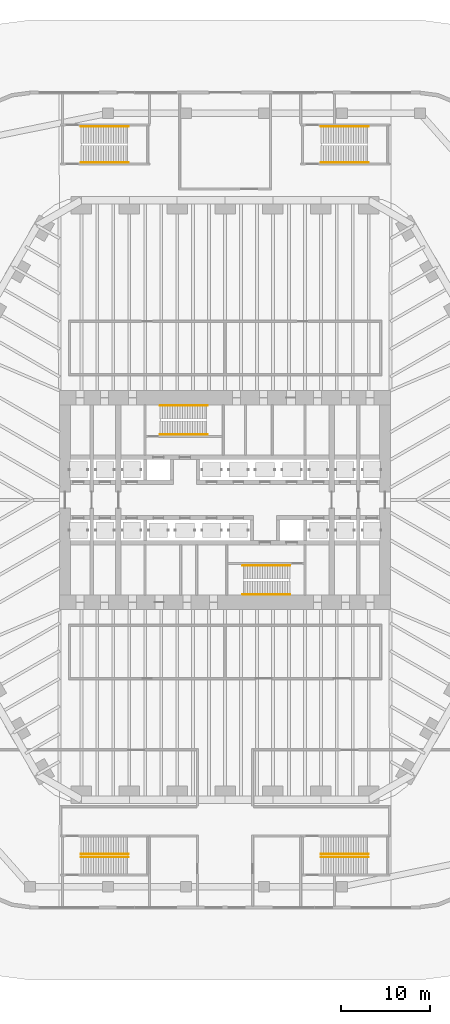
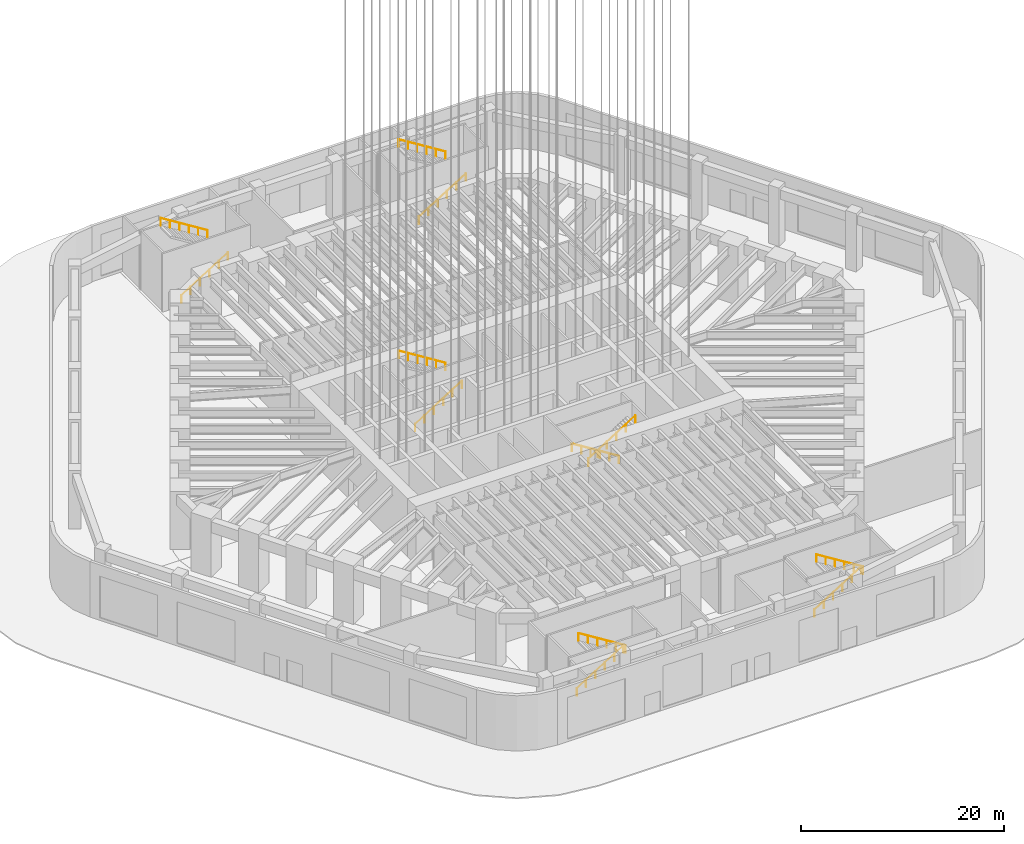
# One storey, part 13 of 23: 12 railings.
"""IFC4 building model written with IfcOpenShell, lengths in metres."""

import ifcopenshell
import ifcopenshell.guid

model = None  # the IFC model being written
_history = None  # IfcOwnerHistory: only IFC2X3 demands one
_inside = {}  # id of a spatial element -> (the spatial element, [elements in it])
_under = {}  # id of a project, library or spatial element -> (it, [spatial elements below it])
_declared = {}  # id of a project -> (the project, [libraries it declares])
_typed = {}  # id of a type object -> (the type object, [elements of that type])
_made_of = {}  # id of a material, layer set ... -> (it, [elements and type objects made of it])


def new_model(schema):
    """Start an empty IFC model of exactly this schema.

    Asked for "IFC4X3", IfcOpenShell would pick the latest addendum, in which some entities
    have other attributes; the version numbers below select the first issue.
    IFC2X3 requires an IfcOwnerHistory on every rooted entity: one is made here for all.
    """
    global model, _history
    if schema == "IFC4X3":
        model = ifcopenshell.file(schema_version=(4, 3, 0, 0))
    else:
        model = ifcopenshell.file(schema=schema)
    _inside.clear()
    _under.clear()
    _declared.clear()
    _typed.clear()
    _made_of.clear()
    _history = None
    if model.schema == "IFC2X3":
        org = make("IfcOrganization", Name="unknown")
        user = make(
            "IfcPersonAndOrganization",
            ThePerson=make("IfcPerson", FamilyName="unknown"),
            TheOrganization=org,
        )
        app = make(
            "IfcApplication",
            ApplicationDeveloper=org,
            Version="unknown",
            ApplicationFullName="unknown",
            ApplicationIdentifier="unknown",
        )
        _history = make(
            "IfcOwnerHistory",
            OwningUser=user,
            OwningApplication=app,
            ChangeAction="ADDED",
            CreationDate=0,
        )
    return model


def make(cls, **values):
    """One entity of the class cls with the attributes given. An attribute that is None is left unset."""
    return model.create_entity(
        cls, **{name: value for name, value in values.items() if value is not None}
    )


def rooted(cls, **values):
    """An entity with a GlobalId (a new one), such as an element, a storey or a relation."""
    return make(cls, GlobalId=ifcopenshell.guid.new(), OwnerHistory=_history, **values)


def si_unit(unit_type, name, prefix=None):
    """IfcSIUnit, for example si_unit("LENGTHUNIT", "METRE", prefix="MILLI")."""
    return make("IfcSIUnit", UnitType=unit_type, Prefix=prefix, Name=name)


def assignment(units):
    """IfcUnitAssignment: the units of a project."""
    return None if units is None else make("IfcUnitAssignment", Units=units)


def point(xyz):
    """IfcCartesianPoint."""
    return None if xyz is None else make("IfcCartesianPoint", Coordinates=xyz)


def direction(xyz):
    """IfcDirection."""
    return None if xyz is None else make("IfcDirection", DirectionRatios=xyz)


def frame(location, z_axis=None, x_axis=None):
    """IfcAxis2Placement3D, a coordinate frame: its origin and axes. An axis left out is left unset."""
    return make(
        "IfcAxis2Placement3D",
        Location=point(location),
        Axis=direction(z_axis),
        RefDirection=direction(x_axis),
    )


def frame_2d(location, x_axis=None):
    """IfcAxis2Placement2D, a coordinate frame in the plane: its origin and x axis."""
    return make(
        "IfcAxis2Placement2D", Location=point(location), RefDirection=direction(x_axis)
    )


def origin():
    """The frame at (0, 0, 0) with its axes left unset."""
    return frame((0.0, 0.0, 0.0))


def origin_2d():
    """The frame at (0, 0) in the plane with its x axis left unset."""
    return frame_2d((0.0, 0.0))


def place(relative_to, where):
    """IfcLocalPlacement: puts the frame where relative to a parent placement (None: the world)."""
    return make(
        "IfcLocalPlacement", PlacementRelTo=relative_to, RelativePlacement=where
    )


def context(
    kind, dimensions, precision=None, world=None, true_north=None, identifier=None
):
    """IfcGeometricRepresentationContext, for example the 3D "Model" context."""
    return make(
        "IfcGeometricRepresentationContext",
        ContextIdentifier=identifier,
        ContextType=kind,
        CoordinateSpaceDimension=dimensions,
        Precision=precision,
        WorldCoordinateSystem=world,
        TrueNorth=true_north,
    )


def subcontext(parent, identifier, kind, view, scale=None):
    """IfcGeometricRepresentationSubContext, for example "Body" below "Model"."""
    return make(
        "IfcGeometricRepresentationSubContext",
        ContextIdentifier=identifier,
        ContextType=kind,
        ParentContext=parent,
        TargetScale=scale,
        TargetView=view,
    )


def project(units=None, contexts=None):
    """IfcProject with its units and contexts."""
    return rooted(
        "IfcProject",
        Name="project",
        RepresentationContexts=contexts,
        UnitsInContext=assignment(units),
    )


def spatial(cls, under=None, at=None, **own):
    """A site, building, storey or space (cls), placed at a placement, below another one or the project."""
    s = rooted(cls, ObjectPlacement=at, **own)
    if under is not None:
        _under.setdefault(under.id(), (under, []))[1].append(s)
    return s


def profile(cls, at=None, kind="AREA", **sizes):
    """A parametric profile (cls). Its sizes go by their IFC names, for example OverallWidth=200.0."""
    return make(cls, ProfileType=kind, Position=at, **sizes)


def circle(**sizes):
    """IfcCircleProfileDef."""
    return profile("IfcCircleProfileDef", **sizes)


def extrude(swept, where, along, depth):
    """IfcExtrudedAreaSolid: the profile swept, set in the frame where, extruded along a direction by depth."""
    return make(
        "IfcExtrudedAreaSolid",
        SweptArea=swept,
        Position=where,
        ExtrudedDirection=direction(along),
        Depth=depth,
    )


def shape(context_of_items, identifier, shape_type, items):
    """IfcShapeRepresentation: the items that make up one representation, for example the "Body"."""
    return make(
        "IfcShapeRepresentation",
        ContextOfItems=context_of_items,
        RepresentationIdentifier=identifier,
        RepresentationType=shape_type,
        Items=items,
    )


def material(Name=None, Category=None):
    """IfcMaterial."""
    return make("IfcMaterial", Name=Name, Category=Category)


def made_of(thing, what):
    """Note that an element or type object is made of a material, layer set ...; save() writes the relation."""
    if what is not None:
        _made_of.setdefault(what.id(), (what, []))[1].append(thing)
    return thing


def type_object(cls, material=None, **own):
    """A type object (cls), such as IfcWallType, which elements share."""
    return made_of(rooted(cls, **own), material)


def element(
    cls,
    number,
    at=None,
    inside=None,
    cuts=None,
    type_object=None,
    material=None,
    context=None,
    identifier="Body",
    shape_type=None,
    held_by="IfcProductDefinitionShape",
    body=None,
    shapes=None,
    **own,
):
    """One element of the class cls, such as IfcWall. Its Tag is "e" and its number.

    at: its placement. inside: the storey or other place that contains it. cuts: it is an
    opening in that element (IfcRelVoidsElement). A single representation is given by context,
    identifier, shape_type and body (its items); several are given by shapes. held_by: the class
    of the entity that holds the representations. save() writes the other relations.
    """
    e = rooted(cls, Tag="e%d" % number, ObjectPlacement=at, **own)
    if body is not None:
        shapes = [shape(context, identifier, shape_type, body)]
    if shapes is not None:
        e.Representation = make(held_by, Representations=shapes)
    if inside is not None:
        _inside.setdefault(inside.id(), (inside, []))[1].append(e)
    if cuts is not None:
        rooted(
            "IfcRelVoidsElement", RelatingBuildingElement=cuts, RelatedOpeningElement=e
        )
    if type_object is not None:
        _typed.setdefault(type_object.id(), (type_object, []))[1].append(e)
    return made_of(e, material)


def aggregate(whole, parts):
    """IfcRelAggregates: a whole, such as a stair, and the parts it consists of."""
    return rooted("IfcRelAggregates", RelatingObject=whole, RelatedObjects=parts)


def save(model, path):
    """Write the relations noted so far, then the file.

    IfcRelAggregates (storeys below a building ...), IfcRelContainedInSpatialStructure (elements
    in a storey), IfcRelDefinesByType, IfcRelAssociatesMaterial and IfcRelDeclares: one each for
    every whole, place, type object, material and project.
    """
    for whole, parts in _under.values():
        aggregate(whole, parts)
    for where, things in _inside.values():
        rooted(
            "IfcRelContainedInSpatialStructure",
            RelatedElements=things,
            RelatingStructure=where,
        )
    for kind, things in _typed.values():
        rooted("IfcRelDefinesByType", RelatedObjects=things, RelatingType=kind)
    for what, things in _made_of.values():
        rooted("IfcRelAssociatesMaterial", RelatedObjects=things, RelatingMaterial=what)
    for by, libraries in _declared.values():
        rooted("IfcRelDeclares", RelatingContext=by, RelatedDefinitions=libraries)
    model.write(path)


model = new_model("IFC4")

# Units and contexts
model_context = context("Model", 3, precision=1e-05, world=origin(), true_north=direction((0.0, 1.0)))
body_context = subcontext(model_context, "Body", "Model", "MODEL_VIEW")
ifc_project = project(units=[si_unit("LENGTHUNIT", "METRE"), si_unit("AREAUNIT", "SQUARE_METRE"), si_unit("VOLUMEUNIT", "CUBIC_METRE"), si_unit("PLANEANGLEUNIT", "RADIAN"), si_unit("MASSUNIT", "GRAM", prefix="KILO")], contexts=[model_context])

# Site, building, storey
site_placement = place(None, origin())
site = spatial("IfcSite", under=ifc_project, at=site_placement, CompositionType="ELEMENT")
building_placement = place(site_placement, origin())
building = spatial("IfcBuilding", under=site, at=building_placement, Name="Tarfa Lantern Tower", CompositionType="ELEMENT")
storey_placement = place(building_placement, origin())
storey = spatial("IfcBuildingStorey", under=building, at=storey_placement, Name="L00", CompositionType="ELEMENT", Elevation=0.0)

# Railings
ifc_material = material(Name="Stainless steel", Category="steel")
railing_type = type_object("IfcRailingType", Name="HR1 HANDRAIL 900", PredefinedType="HANDRAIL", material=ifc_material)
railing_1_placement = place(storey_placement, frame((-7.300048828125, 7.3798828125, 0.175048828125)))
element("IfcRailing", 1, at=railing_1_placement, inside=storey, type_object=railing_type, Name="Handrail 1", PredefinedType="HANDRAIL", context=body_context, shape_type="SweptSolid", body=[
    extrude(circle(Radius=0.02392578125, at=origin_2d()), frame((0.0, 0.0, 0.8759765625), z_axis=(0.848004862711, 0.0, 0.52998844593), x_axis=(0.0, 1.0, 0.0)), (0.0, 0.0, 1.0), 6.273681640625),
    extrude(circle(Radius=0.02099609375, at=origin_2d()), frame((0.0, 0.0, 0.0), z_axis=(0.0, 0.0, 1.0), x_axis=(0.0, 1.0, 0.0)), (0.0, 0.0, 1.0), 0.851806640625),
    extrude(circle(Radius=0.02099609375, at=origin_2d()), frame((1.06396484375, 0.0, 0.6650390625), z_axis=(0.0, 0.0, 1.0), x_axis=(0.0, 1.0, 0.0)), (0.0, 0.0, 1.0), 0.851806640625),
    extrude(circle(Radius=0.02099609375, at=origin_2d()), frame((2.1279296875, 0.0, 1.330078125), z_axis=(0.0, 0.0, 1.0), x_axis=(0.0, 1.0, 0.0)), (0.0, 0.0, 1.0), 0.851806640625),
    extrude(circle(Radius=0.02099609375, at=origin_2d()), frame((3.192138671875, 0.0, 1.994873046875), z_axis=(0.0, 0.0, 1.0), x_axis=(0.0, 1.0, 0.0)), (0.0, 0.0, 1.0), 0.851806640625),
    extrude(circle(Radius=0.02099609375, at=origin_2d()), frame((4.256103515625, 0.0, 2.659912109375), z_axis=(0.0, 0.0, 1.0), x_axis=(0.0, 1.0, 0.0)), (0.0, 0.0, 1.0), 0.851806640625),
    extrude(circle(Radius=0.02099609375, at=origin_2d()), frame((5.320068359375, 0.0, 3.324951171875), z_axis=(0.0, 0.0, 1.0), x_axis=(0.0, 1.0, 0.0)), (0.0, 0.0, 1.0), 0.851806640625),
])
for number, where, name in (
    (2, (-1.97998046875, 10.6201171875, 3.675048828125), "Handrail 2"),
    (3, (7.300048828125, -7.3798828125, 0.175048828125), "Handrail 1"),
):
    element("IfcRailing", number, at=place(storey_placement, frame(where)), inside=storey, type_object=railing_type, Name=name, PredefinedType="HANDRAIL", context=body_context, shape_type="SweptSolid", body=[
        extrude(circle(Radius=0.02392578125, at=origin_2d()), frame((0.0, 0.0, 0.8759765625), z_axis=(-0.848004862711, 0.0, 0.52998844593), x_axis=(0.0, -1.0, 0.0)), (0.0, 0.0, 1.0), 6.273681640625),
        extrude(circle(Radius=0.02099609375, at=origin_2d()), frame((0.0, 0.0, 0.0), z_axis=(0.0, 0.0, 1.0), x_axis=(0.0, -1.0, 0.0)), (0.0, 0.0, 1.0), 0.851806640625),
        extrude(circle(Radius=0.02099609375, at=origin_2d()), frame((-1.06396484375, 0.0, 0.6650390625), z_axis=(0.0, 0.0, 1.0), x_axis=(0.0, -1.0, 0.0)), (0.0, 0.0, 1.0), 0.851806640625),
        extrude(circle(Radius=0.02099609375, at=origin_2d()), frame((-2.1279296875, 0.0, 1.330078125), z_axis=(0.0, 0.0, 1.0), x_axis=(0.0, -1.0, 0.0)), (0.0, 0.0, 1.0), 0.851806640625),
        extrude(circle(Radius=0.02099609375, at=origin_2d()), frame((-3.192138671875, 0.0, 1.994873046875), z_axis=(0.0, 0.0, 1.0), x_axis=(0.0, -1.0, 0.0)), (0.0, 0.0, 1.0), 0.851806640625),
        extrude(circle(Radius=0.02099609375, at=origin_2d()), frame((-4.256103515625, 0.0, 2.659912109375), z_axis=(0.0, 0.0, 1.0), x_axis=(0.0, -1.0, 0.0)), (0.0, 0.0, 1.0), 0.851806640625),
        extrude(circle(Radius=0.02099609375, at=origin_2d()), frame((-5.320068359375, 0.0, 3.324951171875), z_axis=(0.0, 0.0, 1.0), x_axis=(0.0, -1.0, 0.0)), (0.0, 0.0, 1.0), 0.851806640625),
    ])
for number, where, name in (
    (4, (1.97998046875, -10.6201171875, 3.675048828125), "Handrail 2"),
    (5, (10.800048828125, 37.97998046875, 0.175048828125), "Handrail 1"),
):
    element("IfcRailing", number, at=place(storey_placement, frame(where)), inside=storey, type_object=railing_type, Name=name, PredefinedType="HANDRAIL", context=body_context, shape_type="SweptSolid", body=[
        extrude(circle(Radius=0.02392578125, at=origin_2d()), frame((0.0, 0.0, 0.8759765625), z_axis=(0.848004862711, 0.0, 0.52998844593), x_axis=(0.0, 1.0, 0.0)), (0.0, 0.0, 1.0), 6.273681640625),
        extrude(circle(Radius=0.02099609375, at=origin_2d()), frame((0.0, 0.0, 0.0), z_axis=(0.0, 0.0, 1.0), x_axis=(0.0, 1.0, 0.0)), (0.0, 0.0, 1.0), 0.851806640625),
        extrude(circle(Radius=0.02099609375, at=origin_2d()), frame((1.06396484375, 0.0, 0.6650390625), z_axis=(0.0, 0.0, 1.0), x_axis=(0.0, 1.0, 0.0)), (0.0, 0.0, 1.0), 0.851806640625),
        extrude(circle(Radius=0.02099609375, at=origin_2d()), frame((2.1279296875, 0.0, 1.330078125), z_axis=(0.0, 0.0, 1.0), x_axis=(0.0, 1.0, 0.0)), (0.0, 0.0, 1.0), 0.851806640625),
        extrude(circle(Radius=0.02099609375, at=origin_2d()), frame((3.192138671875, 0.0, 1.994873046875), z_axis=(0.0, 0.0, 1.0), x_axis=(0.0, 1.0, 0.0)), (0.0, 0.0, 1.0), 0.851806640625),
        extrude(circle(Radius=0.02099609375, at=origin_2d()), frame((4.256103515625, 0.0, 2.659912109375), z_axis=(0.0, 0.0, 1.0), x_axis=(0.0, 1.0, 0.0)), (0.0, 0.0, 1.0), 0.851806640625),
        extrude(circle(Radius=0.02099609375, at=origin_2d()), frame((5.320068359375, 0.0, 3.324951171875), z_axis=(0.0, 0.0, 1.0), x_axis=(0.0, 1.0, 0.0)), (0.0, 0.0, 1.0), 0.851806640625),
    ])
railing_2_placement = place(storey_placement, frame((16.1201171875, 42.02001953125, 3.675048828125)))
element("IfcRailing", 6, at=railing_2_placement, inside=storey, type_object=railing_type, Name="Handrail 2", PredefinedType="HANDRAIL", context=body_context, shape_type="SweptSolid", body=[
    extrude(circle(Radius=0.02392578125, at=origin_2d()), frame((0.0, 0.0, 0.8759765625), z_axis=(-0.848004862711, 0.0, 0.52998844593), x_axis=(0.0, -1.0, 0.0)), (0.0, 0.0, 1.0), 6.273681640625),
    extrude(circle(Radius=0.02099609375, at=origin_2d()), frame((0.0, 0.0, 0.0), z_axis=(0.0, 0.0, 1.0), x_axis=(0.0, -1.0, 0.0)), (0.0, 0.0, 1.0), 0.851806640625),
    extrude(circle(Radius=0.02099609375, at=origin_2d()), frame((-1.06396484375, 0.0, 0.6650390625), z_axis=(0.0, 0.0, 1.0), x_axis=(0.0, -1.0, 0.0)), (0.0, 0.0, 1.0), 0.851806640625),
    extrude(circle(Radius=0.02099609375, at=origin_2d()), frame((-2.1279296875, 0.0, 1.330078125), z_axis=(0.0, 0.0, 1.0), x_axis=(0.0, -1.0, 0.0)), (0.0, 0.0, 1.0), 0.851806640625),
    extrude(circle(Radius=0.02099609375, at=origin_2d()), frame((-3.192138671875, 0.0, 1.994873046875), z_axis=(0.0, 0.0, 1.0), x_axis=(0.0, -1.0, 0.0)), (0.0, 0.0, 1.0), 0.851806640625),
    extrude(circle(Radius=0.02099609375, at=origin_2d()), frame((-4.256103515625, 0.0, 2.659912109375), z_axis=(0.0, 0.0, 1.0), x_axis=(0.0, -1.0, 0.0)), (0.0, 0.0, 1.0), 0.851806640625),
    extrude(circle(Radius=0.02099609375, at=origin_2d()), frame((-5.320068359375, 0.0, 3.324951171875), z_axis=(0.0, 0.0, 1.0), x_axis=(0.0, -1.0, 0.0)), (0.0, 0.0, 1.0), 0.851806640625),
])
railing_3_placement = place(storey_placement, frame((-16.199951171875, 37.97998046875, 0.175048828125)))
element("IfcRailing", 7, at=railing_3_placement, inside=storey, type_object=railing_type, Name="Handrail 1", PredefinedType="HANDRAIL", context=body_context, shape_type="SweptSolid", body=[
    extrude(circle(Radius=0.02392578125, at=origin_2d()), frame((0.0, 0.0, 0.8759765625), z_axis=(0.848004862711, 0.0, 0.52998844593), x_axis=(0.0, 1.0, 0.0)), (0.0, 0.0, 1.0), 6.273681640625),
    extrude(circle(Radius=0.02099609375, at=origin_2d()), frame((0.0, 0.0, 0.0), z_axis=(0.0, 0.0, 1.0), x_axis=(0.0, 1.0, 0.0)), (0.0, 0.0, 1.0), 0.851806640625),
    extrude(circle(Radius=0.02099609375, at=origin_2d()), frame((1.06396484375, 0.0, 0.6650390625), z_axis=(0.0, 0.0, 1.0), x_axis=(0.0, 1.0, 0.0)), (0.0, 0.0, 1.0), 0.851806640625),
    extrude(circle(Radius=0.02099609375, at=origin_2d()), frame((2.1279296875, 0.0, 1.330078125), z_axis=(0.0, 0.0, 1.0), x_axis=(0.0, 1.0, 0.0)), (0.0, 0.0, 1.0), 0.851806640625),
    extrude(circle(Radius=0.02099609375, at=origin_2d()), frame((3.192138671875, 0.0, 1.994873046875), z_axis=(0.0, 0.0, 1.0), x_axis=(0.0, 1.0, 0.0)), (0.0, 0.0, 1.0), 0.851806640625),
    extrude(circle(Radius=0.02099609375, at=origin_2d()), frame((4.256103515625, 0.0, 2.659912109375), z_axis=(0.0, 0.0, 1.0), x_axis=(0.0, 1.0, 0.0)), (0.0, 0.0, 1.0), 0.851806640625),
    extrude(circle(Radius=0.02099609375, at=origin_2d()), frame((5.320068359375, 0.0, 3.324951171875), z_axis=(0.0, 0.0, 1.0), x_axis=(0.0, 1.0, 0.0)), (0.0, 0.0, 1.0), 0.851806640625),
])
railing_4_placement = place(storey_placement, frame((-10.8798828125, 42.02001953125, 3.675048828125)))
element("IfcRailing", 8, at=railing_4_placement, inside=storey, type_object=railing_type, Name="Handrail 2", PredefinedType="HANDRAIL", context=body_context, shape_type="SweptSolid", body=[
    extrude(circle(Radius=0.02392578125, at=origin_2d()), frame((0.0, 0.0, 0.8759765625), z_axis=(-0.848004862711, 0.0, 0.52998844593), x_axis=(0.0, -1.0, 0.0)), (0.0, 0.0, 1.0), 6.273681640625),
    extrude(circle(Radius=0.02099609375, at=origin_2d()), frame((0.0, 0.0, 0.0), z_axis=(0.0, 0.0, 1.0), x_axis=(0.0, -1.0, 0.0)), (0.0, 0.0, 1.0), 0.851806640625),
    extrude(circle(Radius=0.02099609375, at=origin_2d()), frame((-1.06396484375, 0.0, 0.6650390625), z_axis=(0.0, 0.0, 1.0), x_axis=(0.0, -1.0, 0.0)), (0.0, 0.0, 1.0), 0.851806640625),
    extrude(circle(Radius=0.02099609375, at=origin_2d()), frame((-2.1279296875, 0.0, 1.330078125), z_axis=(0.0, 0.0, 1.0), x_axis=(0.0, -1.0, 0.0)), (0.0, 0.0, 1.0), 0.851806640625),
    extrude(circle(Radius=0.02099609375, at=origin_2d()), frame((-3.192138671875, 0.0, 1.994873046875), z_axis=(0.0, 0.0, 1.0), x_axis=(0.0, -1.0, 0.0)), (0.0, 0.0, 1.0), 0.851806640625),
    extrude(circle(Radius=0.02099609375, at=origin_2d()), frame((-4.256103515625, 0.0, 2.659912109375), z_axis=(0.0, 0.0, 1.0), x_axis=(0.0, -1.0, 0.0)), (0.0, 0.0, 1.0), 0.851806640625),
    extrude(circle(Radius=0.02099609375, at=origin_2d()), frame((-5.320068359375, 0.0, 3.324951171875), z_axis=(0.0, 0.0, 1.0), x_axis=(0.0, -1.0, 0.0)), (0.0, 0.0, 1.0), 0.851806640625),
])
railing_5_placement = place(storey_placement, frame((-16.199951171875, -39.820068359375, 0.175048828125)))
element("IfcRailing", 9, at=railing_5_placement, inside=storey, type_object=railing_type, Name="Handrail 1", PredefinedType="HANDRAIL", context=body_context, shape_type="SweptSolid", body=[
    extrude(circle(Radius=0.02392578125, at=origin_2d()), frame((0.0, 0.0, 0.8759765625), z_axis=(0.848004862711, 0.0, 0.52998844593), x_axis=(0.0, 1.0, 0.0)), (0.0, 0.0, 1.0), 6.273681640625),
    extrude(circle(Radius=0.02099609375, at=origin_2d()), frame((0.0, 0.0, 0.0), z_axis=(0.0, 0.0, 1.0), x_axis=(0.0, 1.0, 0.0)), (0.0, 0.0, 1.0), 0.851806640625),
    extrude(circle(Radius=0.02099609375, at=origin_2d()), frame((1.06396484375, 0.0, 0.6650390625), z_axis=(0.0, 0.0, 1.0), x_axis=(0.0, 1.0, 0.0)), (0.0, 0.0, 1.0), 0.851806640625),
    extrude(circle(Radius=0.02099609375, at=origin_2d()), frame((2.1279296875, 0.0, 1.330078125), z_axis=(0.0, 0.0, 1.0), x_axis=(0.0, 1.0, 0.0)), (0.0, 0.0, 1.0), 0.851806640625),
    extrude(circle(Radius=0.02099609375, at=origin_2d()), frame((3.192138671875, 0.0, 1.994873046875), z_axis=(0.0, 0.0, 1.0), x_axis=(0.0, 1.0, 0.0)), (0.0, 0.0, 1.0), 0.851806640625),
    extrude(circle(Radius=0.02099609375, at=origin_2d()), frame((4.256103515625, 0.0, 2.659912109375), z_axis=(0.0, 0.0, 1.0), x_axis=(0.0, 1.0, 0.0)), (0.0, 0.0, 1.0), 0.851806640625),
    extrude(circle(Radius=0.02099609375, at=origin_2d()), frame((5.320068359375, 0.0, 3.324951171875), z_axis=(0.0, 0.0, 1.0), x_axis=(0.0, 1.0, 0.0)), (0.0, 0.0, 1.0), 0.851806640625),
])
railing_6_placement = place(storey_placement, frame((-10.8798828125, -40.179931640625, 3.675048828125)))
element("IfcRailing", 10, at=railing_6_placement, inside=storey, type_object=railing_type, Name="Handrail 2", PredefinedType="HANDRAIL", context=body_context, shape_type="SweptSolid", body=[
    extrude(circle(Radius=0.02392578125, at=origin_2d()), frame((0.0, 0.0, 0.8759765625), z_axis=(-0.848004862711, 0.0, 0.52998844593), x_axis=(0.0, -1.0, 0.0)), (0.0, 0.0, 1.0), 6.273681640625),
    extrude(circle(Radius=0.02099609375, at=origin_2d()), frame((0.0, 0.0, 0.0), z_axis=(0.0, 0.0, 1.0), x_axis=(0.0, -1.0, 0.0)), (0.0, 0.0, 1.0), 0.851806640625),
    extrude(circle(Radius=0.02099609375, at=origin_2d()), frame((-1.06396484375, 0.0, 0.6650390625), z_axis=(0.0, 0.0, 1.0), x_axis=(0.0, -1.0, 0.0)), (0.0, 0.0, 1.0), 0.851806640625),
    extrude(circle(Radius=0.02099609375, at=origin_2d()), frame((-2.1279296875, 0.0, 1.330078125), z_axis=(0.0, 0.0, 1.0), x_axis=(0.0, -1.0, 0.0)), (0.0, 0.0, 1.0), 0.851806640625),
    extrude(circle(Radius=0.02099609375, at=origin_2d()), frame((-3.192138671875, 0.0, 1.994873046875), z_axis=(0.0, 0.0, 1.0), x_axis=(0.0, -1.0, 0.0)), (0.0, 0.0, 1.0), 0.851806640625),
    extrude(circle(Radius=0.02099609375, at=origin_2d()), frame((-4.256103515625, 0.0, 2.659912109375), z_axis=(0.0, 0.0, 1.0), x_axis=(0.0, -1.0, 0.0)), (0.0, 0.0, 1.0), 0.851806640625),
    extrude(circle(Radius=0.02099609375, at=origin_2d()), frame((-5.320068359375, 0.0, 3.324951171875), z_axis=(0.0, 0.0, 1.0), x_axis=(0.0, -1.0, 0.0)), (0.0, 0.0, 1.0), 0.851806640625),
])
railing_7_placement = place(storey_placement, frame((10.800048828125, -39.820068359375, 0.175048828125)))
element("IfcRailing", 11, at=railing_7_placement, inside=storey, type_object=railing_type, Name="Handrail 1", PredefinedType="HANDRAIL", context=body_context, shape_type="SweptSolid", body=[
    extrude(circle(Radius=0.02392578125, at=origin_2d()), frame((0.0, 0.0, 0.8759765625), z_axis=(0.848004862711, 0.0, 0.52998844593), x_axis=(0.0, 1.0, 0.0)), (0.0, 0.0, 1.0), 6.273681640625),
    extrude(circle(Radius=0.02099609375, at=origin_2d()), frame((0.0, 0.0, 0.0), z_axis=(0.0, 0.0, 1.0), x_axis=(0.0, 1.0, 0.0)), (0.0, 0.0, 1.0), 0.851806640625),
    extrude(circle(Radius=0.02099609375, at=origin_2d()), frame((1.06396484375, 0.0, 0.6650390625), z_axis=(0.0, 0.0, 1.0), x_axis=(0.0, 1.0, 0.0)), (0.0, 0.0, 1.0), 0.851806640625),
    extrude(circle(Radius=0.02099609375, at=origin_2d()), frame((2.1279296875, 0.0, 1.330078125), z_axis=(0.0, 0.0, 1.0), x_axis=(0.0, 1.0, 0.0)), (0.0, 0.0, 1.0), 0.851806640625),
    extrude(circle(Radius=0.02099609375, at=origin_2d()), frame((3.192138671875, 0.0, 1.994873046875), z_axis=(0.0, 0.0, 1.0), x_axis=(0.0, 1.0, 0.0)), (0.0, 0.0, 1.0), 0.851806640625),
    extrude(circle(Radius=0.02099609375, at=origin_2d()), frame((4.256103515625, 0.0, 2.659912109375), z_axis=(0.0, 0.0, 1.0), x_axis=(0.0, 1.0, 0.0)), (0.0, 0.0, 1.0), 0.851806640625),
    extrude(circle(Radius=0.02099609375, at=origin_2d()), frame((5.320068359375, 0.0, 3.324951171875), z_axis=(0.0, 0.0, 1.0), x_axis=(0.0, 1.0, 0.0)), (0.0, 0.0, 1.0), 0.851806640625),
])
railing_8_placement = place(storey_placement, frame((16.1201171875, -40.179931640625, 3.675048828125)))
element("IfcRailing", 12, at=railing_8_placement, inside=storey, type_object=railing_type, Name="Handrail 2", PredefinedType="HANDRAIL", context=body_context, shape_type="SweptSolid", body=[
    extrude(circle(Radius=0.02392578125, at=origin_2d()), frame((0.0, 0.0, 0.8759765625), z_axis=(-0.848004862711, 0.0, 0.52998844593), x_axis=(0.0, -1.0, 0.0)), (0.0, 0.0, 1.0), 6.273681640625),
    extrude(circle(Radius=0.02099609375, at=origin_2d()), frame((0.0, 0.0, 0.0), z_axis=(0.0, 0.0, 1.0), x_axis=(0.0, -1.0, 0.0)), (0.0, 0.0, 1.0), 0.851806640625),
    extrude(circle(Radius=0.02099609375, at=origin_2d()), frame((-1.06396484375, 0.0, 0.6650390625), z_axis=(0.0, 0.0, 1.0), x_axis=(0.0, -1.0, 0.0)), (0.0, 0.0, 1.0), 0.851806640625),
    extrude(circle(Radius=0.02099609375, at=origin_2d()), frame((-2.1279296875, 0.0, 1.330078125), z_axis=(0.0, 0.0, 1.0), x_axis=(0.0, -1.0, 0.0)), (0.0, 0.0, 1.0), 0.851806640625),
    extrude(circle(Radius=0.02099609375, at=origin_2d()), frame((-3.192138671875, 0.0, 1.994873046875), z_axis=(0.0, 0.0, 1.0), x_axis=(0.0, -1.0, 0.0)), (0.0, 0.0, 1.0), 0.851806640625),
    extrude(circle(Radius=0.02099609375, at=origin_2d()), frame((-4.256103515625, 0.0, 2.659912109375), z_axis=(0.0, 0.0, 1.0), x_axis=(0.0, -1.0, 0.0)), (0.0, 0.0, 1.0), 0.851806640625),
    extrude(circle(Radius=0.02099609375, at=origin_2d()), frame((-5.320068359375, 0.0, 3.324951171875), z_axis=(0.0, 0.0, 1.0), x_axis=(0.0, -1.0, 0.0)), (0.0, 0.0, 1.0), 0.851806640625),
])

save(model, "model.ifc")
